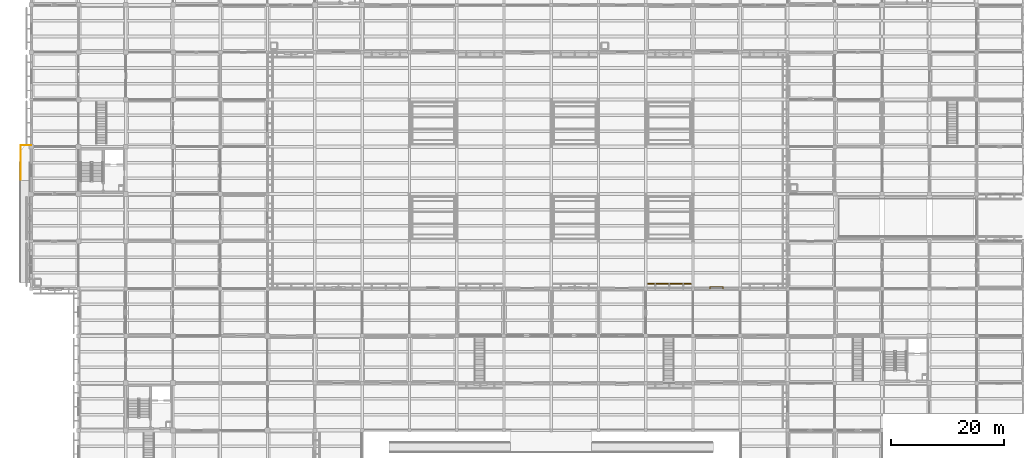
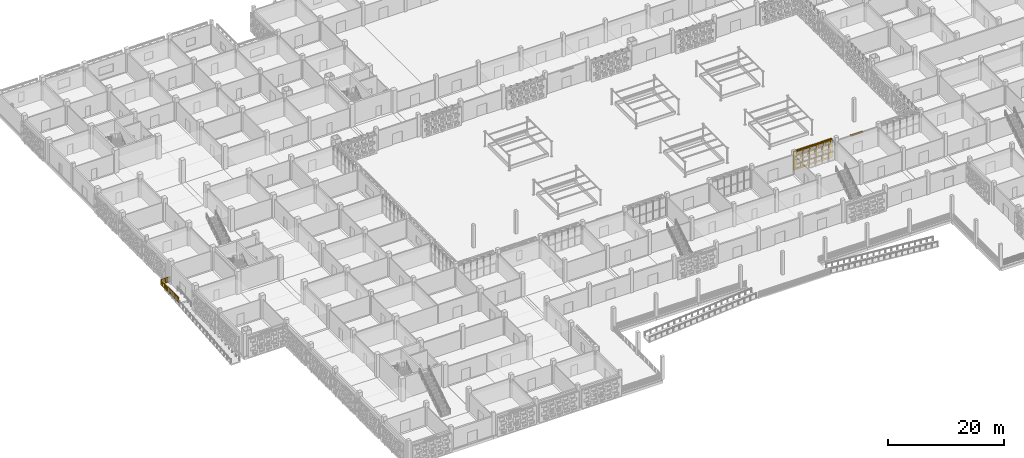
# One storey, part 95 of 129: 2 railings, 2 shading devices, 1 covering, 20 openings.
"""IFC4 building model written with IfcOpenShell, lengths in metres."""

from ifc_helpers import new_model, si_unit, direction, frame, frame_2d, origin, origin_2d, place, context, subcontext, project, spatial, rectangle, circle, extrude, material, layer, layer_set, type_object, element, save


model = new_model("IFC4")

# Units and contexts
model_context = context("Model", 3, precision=1e-05, world=origin(), true_north=direction((0.0, 1.0)))
body_context = subcontext(model_context, "Body", "Model", "MODEL_VIEW")
ifc_project = project(units=[si_unit("LENGTHUNIT", "METRE"), si_unit("AREAUNIT", "SQUARE_METRE"), si_unit("VOLUMEUNIT", "CUBIC_METRE"), si_unit("PLANEANGLEUNIT", "RADIAN"), si_unit("MASSUNIT", "GRAM", prefix="KILO")], contexts=[model_context])

# Site, building, storey
site_placement = place(None, origin())
site = spatial("IfcSite", under=ifc_project, at=site_placement, CompositionType="ELEMENT")
building_placement = place(site_placement, origin())
building = spatial("IfcBuilding", under=site, at=building_placement, Name="Varnapada Polytechnic", CompositionType="ELEMENT")
storey_placement = place(building_placement, origin())
storey = spatial("IfcBuildingStorey", under=building, at=storey_placement, Name="L00", CompositionType="ELEMENT", Elevation=0.0)

# Shading device
ifc_material_1 = material(Name="Anodised aluminium", Category="aluminium")
ifc_layer_1 = layer(ifc_material_1, 0.35009765625)
ifc_layer_set_1 = layer_set([ifc_layer_1], Name="Anodised aluminium")
shading_device_type_1 = type_object("IfcShadingDeviceType", Name="Solar Louvre LVR-01", PredefinedType="JALOUSIE", material=ifc_layer_set_1)
shading_device_1_placement = place(storey_placement, frame((121.800048828125, 42.179931640625, 3.760009765625), z_axis=(0.0, 0.0, 1.0), x_axis=(1.0, 0.0, 0.0)))
element("IfcShadingDevice", 1, at=shading_device_1_placement, inside=storey, type_object=shading_device_type_1, Name="L00 aluminium sun louvre 73", PredefinedType="JALOUSIE", context=body_context, shape_type="SweptSolid", body=[
    extrude(rectangle(XDim=2.39990234375, YDim=0.340087890625, at=origin_2d()), origin(), (0.0, 0.0, 1.0), 0.1201171875),
])

# Railings
ifc_material_2 = material(Name="Painted galvanized steel", Category="steel")
railing_type = type_object("IfcRailingType", Name="Terrace Guard Rail GRD-01", PredefinedType="BALUSTRADE", material=ifc_material_2)
railing_1_placement = place(storey_placement, frame((-1.8798828125, 61.320068359375, 0.0)))
element("IfcRailing", 2, at=railing_1_placement, inside=storey, type_object=railing_type, Name="L00 civic square colonnade edge guard GRD-LW1-W", PredefinedType="BALUSTRADE", context=body_context, shape_type="SweptSolid", body=[
    extrude(circle(Radius=0.02392578125, at=origin_2d()), frame((0.0, 0.0, 1.09619140625), z_axis=(0.0, 1.0, 0.0), x_axis=(-1.0, 0.0, 0.0)), (0.0, 0.0, 1.0), 6.159912109375),
    extrude(circle(Radius=0.02392578125, at=origin_2d()), frame((0.0, 0.0, 0.10009765625), z_axis=(0.0, 1.0, 0.0), x_axis=(-1.0, 0.0, 0.0)), (0.0, 0.0, 1.0), 6.159912109375),
    extrude(circle(Radius=0.02099609375, at=origin_2d()), origin(), (0.0, 0.0, 1.0), 1.072021484375),
    extrude(circle(Radius=0.02099609375, at=origin_2d()), frame((0.0, 1.026611328125, 0.0)), (0.0, 0.0, 1.0), 1.072021484375),
    extrude(circle(Radius=0.02099609375, at=origin_2d()), frame((0.0, 2.05322265625, 0.0)), (0.0, 0.0, 1.0), 1.072021484375),
    extrude(circle(Radius=0.02099609375, at=origin_2d()), frame((0.0, 3.080078125, 0.0)), (0.0, 0.0, 1.0), 1.072021484375),
    extrude(circle(Radius=0.02099609375, at=origin_2d()), frame((0.0, 4.106689453125, 0.0)), (0.0, 0.0, 1.0), 1.072021484375),
    extrude(circle(Radius=0.02099609375, at=origin_2d()), frame((0.0, 5.13330078125, 0.0)), (0.0, 0.0, 1.0), 1.072021484375),
    extrude(circle(Radius=0.02099609375, at=origin_2d()), frame((0.0, 6.159912109375, 0.0)), (0.0, 0.0, 1.0), 1.072021484375),
    extrude(circle(Radius=0.010009765625, at=origin_2d()), frame((0.0, 0.246337890625, 0.10009765625)), (0.0, 0.0, 1.0), 0.971923828125),
    extrude(circle(Radius=0.010009765625, at=origin_2d()), frame((0.0, 0.49267578125, 0.10009765625)), (0.0, 0.0, 1.0), 0.971923828125),
    extrude(circle(Radius=0.010009765625, at=origin_2d()), frame((0.0, 0.7392578125, 0.10009765625)), (0.0, 0.0, 1.0), 0.971923828125),
    extrude(circle(Radius=0.010009765625, at=origin_2d()), frame((0.0, 0.985595703125, 0.10009765625)), (0.0, 0.0, 1.0), 0.971923828125),
    extrude(circle(Radius=0.010009765625, at=origin_2d()), frame((0.0, 1.23193359375, 0.10009765625)), (0.0, 0.0, 1.0), 0.971923828125),
    extrude(circle(Radius=0.010009765625, at=origin_2d()), frame((0.0, 1.478271484375, 0.10009765625)), (0.0, 0.0, 1.0), 0.971923828125),
    extrude(circle(Radius=0.010009765625, at=origin_2d()), frame((0.0, 1.724853515625, 0.10009765625)), (0.0, 0.0, 1.0), 0.971923828125),
    extrude(circle(Radius=0.010009765625, at=origin_2d()), frame((0.0, 1.97119140625, 0.10009765625)), (0.0, 0.0, 1.0), 0.971923828125),
    extrude(circle(Radius=0.010009765625, at=origin_2d()), frame((0.0, 2.217529296875, 0.10009765625)), (0.0, 0.0, 1.0), 0.971923828125),
    extrude(circle(Radius=0.010009765625, at=origin_2d()), frame((0.0, 2.4638671875, 0.10009765625)), (0.0, 0.0, 1.0), 0.971923828125),
    extrude(circle(Radius=0.010009765625, at=origin_2d()), frame((0.0, 2.71044921875, 0.10009765625)), (0.0, 0.0, 1.0), 0.971923828125),
    extrude(circle(Radius=0.010009765625, at=origin_2d()), frame((0.0, 2.956787109375, 0.10009765625)), (0.0, 0.0, 1.0), 0.971923828125),
    extrude(circle(Radius=0.010009765625, at=origin_2d()), frame((0.0, 3.203125, 0.10009765625)), (0.0, 0.0, 1.0), 0.971923828125),
    extrude(circle(Radius=0.010009765625, at=origin_2d()), frame((0.0, 3.449462890625, 0.10009765625)), (0.0, 0.0, 1.0), 0.971923828125),
    extrude(circle(Radius=0.010009765625, at=origin_2d()), frame((0.0, 3.696044921875, 0.10009765625)), (0.0, 0.0, 1.0), 0.971923828125),
    extrude(circle(Radius=0.010009765625, at=origin_2d()), frame((0.0, 3.9423828125, 0.10009765625)), (0.0, 0.0, 1.0), 0.971923828125),
    extrude(circle(Radius=0.010009765625, at=origin_2d()), frame((0.0, 4.188720703125, 0.10009765625)), (0.0, 0.0, 1.0), 0.971923828125),
    extrude(circle(Radius=0.010009765625, at=origin_2d()), frame((0.0, 4.43505859375, 0.10009765625)), (0.0, 0.0, 1.0), 0.971923828125),
    extrude(circle(Radius=0.010009765625, at=origin_2d()), frame((0.0, 4.681640625, 0.10009765625)), (0.0, 0.0, 1.0), 0.971923828125),
    extrude(circle(Radius=0.010009765625, at=origin_2d()), frame((0.0, 4.927978515625, 0.10009765625)), (0.0, 0.0, 1.0), 0.971923828125),
    extrude(circle(Radius=0.010009765625, at=origin_2d()), frame((0.0, 5.17431640625, 0.10009765625)), (0.0, 0.0, 1.0), 0.971923828125),
    extrude(circle(Radius=0.010009765625, at=origin_2d()), frame((0.0, 5.420654296875, 0.10009765625)), (0.0, 0.0, 1.0), 0.971923828125),
    extrude(circle(Radius=0.010009765625, at=origin_2d()), frame((0.0, 5.667236328125, 0.10009765625)), (0.0, 0.0, 1.0), 0.971923828125),
    extrude(circle(Radius=0.010009765625, at=origin_2d()), frame((0.0, 5.91357421875, 0.10009765625)), (0.0, 0.0, 1.0), 0.971923828125),
])
railing_2_placement = place(storey_placement, frame((-1.8798828125, 67.47998046875, 0.0)))
element("IfcRailing", 3, at=railing_2_placement, inside=storey, type_object=railing_type, Name="L00 civic square colonnade edge guard GRD-LW1-N", PredefinedType="BALUSTRADE", context=body_context, shape_type="SweptSolid", body=[
    extrude(circle(Radius=0.02392578125, at=origin_2d()), frame((0.0, 0.0, 1.09619140625), z_axis=(1.0, 0.0, 0.0), x_axis=(0.0, 1.0, 0.0)), (0.0, 0.0, 1.0), 1.829833984375),
    extrude(circle(Radius=0.02392578125, at=origin_2d()), frame((0.0, 0.0, 0.10009765625), z_axis=(1.0, 0.0, 0.0), x_axis=(0.0, 1.0, 0.0)), (0.0, 0.0, 1.0), 1.829833984375),
    extrude(circle(Radius=0.02099609375, at=origin_2d()), origin(), (0.0, 0.0, 1.0), 1.072021484375),
    extrude(circle(Radius=0.02099609375, at=origin_2d()), frame((0.9150390625, 0.0, 0.0)), (0.0, 0.0, 1.0), 1.072021484375),
    extrude(circle(Radius=0.02099609375, at=origin_2d()), frame((1.829833984375, 0.0, 0.0)), (0.0, 0.0, 1.0), 1.072021484375),
    extrude(circle(Radius=0.010009765625, at=origin_2d()), frame((0.261474609375, 0.0, 0.10009765625)), (0.0, 0.0, 1.0), 0.971923828125),
    extrude(circle(Radius=0.010009765625, at=origin_2d()), frame((0.522705078125, 0.0, 0.10009765625)), (0.0, 0.0, 1.0), 0.971923828125),
    extrude(circle(Radius=0.010009765625, at=origin_2d()), frame((0.7841796875, 0.0, 0.10009765625)), (0.0, 0.0, 1.0), 0.971923828125),
    extrude(circle(Radius=0.010009765625, at=origin_2d()), frame((1.045654296875, 0.0, 0.10009765625)), (0.0, 0.0, 1.0), 0.971923828125),
    extrude(circle(Radius=0.010009765625, at=origin_2d()), frame((1.30712890625, 0.0, 0.10009765625)), (0.0, 0.0, 1.0), 0.971923828125),
    extrude(circle(Radius=0.010009765625, at=origin_2d()), frame((1.568359375, 0.0, 0.10009765625)), (0.0, 0.0, 1.0), 0.971923828125),
])

# Covering, openings
ifc_material_3 = material(Name="Earth-toned architectural terracotta screen block", Category="masonry")
ifc_layer_2 = layer(ifc_material_3, 0.1201171875)
ifc_layer_set_2 = layer_set([ifc_layer_2], Name="Earth-toned architectural terracotta screen block")
covering_type = type_object("IfcCoveringType", Name="Terracotta Screen Cladding CLD-01", PredefinedType="CLADDING", material=ifc_layer_set_2)
covering_placement = place(storey_placement, frame((109.5, 42.85009765625, 0.0), z_axis=(0.0, 0.0, 1.0), x_axis=(1.0, 0.0, 0.0)))
covering = element("IfcCovering", 4, at=covering_placement, inside=storey, type_object=covering_type, Name="L00 perforated terracotta block screen (69)", PredefinedType="CLADDING", context=body_context, shape_type="SweptSolid", body=[
    extrude(rectangle(XDim=7.800048828125, YDim=0.179931640625, at=frame_2d((3.89990234375, 0.0))), origin(), (0.0, 0.0, 1.0), 3.919921875),
])
opening_1_placement = place(covering_placement, frame((0.39990234375, 0.0, 0.313720703125)))
element("IfcOpeningElement", 5, at=opening_1_placement, cuts=covering, Name="Screen perforation TBS-L00-068.1", PredefinedType="OPENING", context=body_context, shape_type="SweptSolid", body=[
    extrude(rectangle(XDim=1.0400390625, YDim=0.679931640625, at=frame_2d((0.52001953125, 0.33984375))), frame((0.0, 0.099853515625, 0.0), z_axis=(0.0, -1.0, 0.0), x_axis=(1.0, 0.0, 0.0)), (0.0, 0.0, 1.0), 0.199951171875),
])
opening_2_placement = place(covering_placement, frame((1.800048828125, 0.0, 0.313720703125)))
element("IfcOpeningElement", 6, at=opening_2_placement, cuts=covering, Name="Screen perforation TBS-L00-068.2", PredefinedType="OPENING", context=body_context, shape_type="SweptSolid", body=[
    extrude(rectangle(XDim=1.0400390625, YDim=0.679931640625, at=frame_2d((0.52001953125, 0.33984375))), frame((0.0, 0.099853515625, 0.0), z_axis=(0.0, -1.0, 0.0), x_axis=(1.0, 0.0, 0.0)), (0.0, 0.0, 1.0), 0.199951171875),
])
opening_3_placement = place(covering_placement, frame((3.199951171875, 0.0, 0.313720703125)))
element("IfcOpeningElement", 7, at=opening_3_placement, cuts=covering, Name="Screen perforation TBS-L00-068.3", PredefinedType="OPENING", context=body_context, shape_type="SweptSolid", body=[
    extrude(rectangle(XDim=1.0400390625, YDim=0.679931640625, at=frame_2d((0.52001953125, 0.33984375))), frame((0.0, 0.099853515625, 0.0), z_axis=(0.0, -1.0, 0.0), x_axis=(1.0, 0.0, 0.0)), (0.0, 0.0, 1.0), 0.199951171875),
])
opening_4_placement = place(covering_placement, frame((4.60009765625, 0.0, 0.313720703125)))
element("IfcOpeningElement", 8, at=opening_4_placement, cuts=covering, Name="Screen perforation TBS-L00-068.4", PredefinedType="OPENING", context=body_context, shape_type="SweptSolid", body=[
    extrude(rectangle(XDim=1.0400390625, YDim=0.679931640625, at=frame_2d((0.52001953125, 0.33984375))), frame((0.0, 0.099853515625, 0.0), z_axis=(0.0, -1.0, 0.0), x_axis=(1.0, 0.0, 0.0)), (0.0, 0.0, 1.0), 0.199951171875),
])
opening_5_placement = place(covering_placement, frame((6.0, 0.0, 0.313720703125)))
element("IfcOpeningElement", 9, at=opening_5_placement, cuts=covering, Name="Screen perforation TBS-L00-068.5", PredefinedType="OPENING", context=body_context, shape_type="SweptSolid", body=[
    extrude(rectangle(XDim=1.0400390625, YDim=0.679931640625, at=frame_2d((0.52001953125, 0.33984375))), frame((0.0, 0.099853515625, 0.0), z_axis=(0.0, -1.0, 0.0), x_axis=(1.0, 0.0, 0.0)), (0.0, 0.0, 1.0), 0.199951171875),
])
opening_6_placement = place(covering_placement, frame((0.760009765625, 0.0, 1.195556640625)))
element("IfcOpeningElement", 10, at=opening_6_placement, cuts=covering, Name="Screen perforation TBS-L00-068.6", PredefinedType="OPENING", context=body_context, shape_type="SweptSolid", body=[
    extrude(rectangle(XDim=1.0400390625, YDim=0.679931640625, at=frame_2d((0.52001953125, 0.33984375))), frame((0.0, 0.099853515625, 0.0), z_axis=(0.0, -1.0, 0.0), x_axis=(1.0, 0.0, 0.0)), (0.0, 0.0, 1.0), 0.199951171875),
])
opening_7_placement = place(covering_placement, frame((2.159912109375, 0.0, 1.195556640625)))
element("IfcOpeningElement", 11, at=opening_7_placement, cuts=covering, Name="Screen perforation TBS-L00-068.7", PredefinedType="OPENING", context=body_context, shape_type="SweptSolid", body=[
    extrude(rectangle(XDim=1.0400390625, YDim=0.679931640625, at=frame_2d((0.52001953125, 0.33984375))), frame((0.0, 0.099853515625, 0.0), z_axis=(0.0, -1.0, 0.0), x_axis=(1.0, 0.0, 0.0)), (0.0, 0.0, 1.0), 0.199951171875),
])
opening_8_placement = place(covering_placement, frame((3.56005859375, 0.0, 1.195556640625)))
element("IfcOpeningElement", 12, at=opening_8_placement, cuts=covering, Name="Screen perforation TBS-L00-068.8", PredefinedType="OPENING", context=body_context, shape_type="SweptSolid", body=[
    extrude(rectangle(XDim=1.0400390625, YDim=0.679931640625, at=frame_2d((0.52001953125, 0.33984375))), frame((0.0, 0.099853515625, 0.0), z_axis=(0.0, -1.0, 0.0), x_axis=(1.0, 0.0, 0.0)), (0.0, 0.0, 1.0), 0.199951171875),
])
opening_9_placement = place(covering_placement, frame((4.9599609375, 0.0, 1.195556640625)))
element("IfcOpeningElement", 13, at=opening_9_placement, cuts=covering, Name="Screen perforation TBS-L00-068.9", PredefinedType="OPENING", context=body_context, shape_type="SweptSolid", body=[
    extrude(rectangle(XDim=1.0400390625, YDim=0.679931640625, at=frame_2d((0.52001953125, 0.33984375))), frame((0.0, 0.099853515625, 0.0), z_axis=(0.0, -1.0, 0.0), x_axis=(1.0, 0.0, 0.0)), (0.0, 0.0, 1.0), 0.199951171875),
])
opening_10_placement = place(covering_placement, frame((6.360107421875, 0.0, 1.195556640625)))
element("IfcOpeningElement", 14, at=opening_10_placement, cuts=covering, Name="Screen perforation TBS-L00-068.10", PredefinedType="OPENING", context=body_context, shape_type="SweptSolid", body=[
    extrude(rectangle(XDim=1.0400390625, YDim=0.679931640625, at=frame_2d((0.52001953125, 0.33984375))), frame((0.0, 0.099853515625, 0.0), z_axis=(0.0, -1.0, 0.0), x_axis=(1.0, 0.0, 0.0)), (0.0, 0.0, 1.0), 0.199951171875),
])
opening_11_placement = place(covering_placement, frame((0.39990234375, 0.0, 2.07763671875)))
element("IfcOpeningElement", 15, at=opening_11_placement, cuts=covering, Name="Screen perforation TBS-L00-068.11", PredefinedType="OPENING", context=body_context, shape_type="SweptSolid", body=[
    extrude(rectangle(XDim=1.0400390625, YDim=0.679931640625, at=frame_2d((0.52001953125, 0.33984375))), frame((0.0, 0.099853515625, 0.0), z_axis=(0.0, -1.0, 0.0), x_axis=(1.0, 0.0, 0.0)), (0.0, 0.0, 1.0), 0.199951171875),
])
opening_12_placement = place(covering_placement, frame((1.800048828125, 0.0, 2.07763671875)))
element("IfcOpeningElement", 16, at=opening_12_placement, cuts=covering, Name="Screen perforation TBS-L00-068.12", PredefinedType="OPENING", context=body_context, shape_type="SweptSolid", body=[
    extrude(rectangle(XDim=1.0400390625, YDim=0.679931640625, at=frame_2d((0.52001953125, 0.33984375))), frame((0.0, 0.099853515625, 0.0), z_axis=(0.0, -1.0, 0.0), x_axis=(1.0, 0.0, 0.0)), (0.0, 0.0, 1.0), 0.199951171875),
])
opening_13_placement = place(covering_placement, frame((3.199951171875, 0.0, 2.07763671875)))
element("IfcOpeningElement", 17, at=opening_13_placement, cuts=covering, Name="Screen perforation TBS-L00-068.13", PredefinedType="OPENING", context=body_context, shape_type="SweptSolid", body=[
    extrude(rectangle(XDim=1.0400390625, YDim=0.679931640625, at=frame_2d((0.52001953125, 0.33984375))), frame((0.0, 0.099853515625, 0.0), z_axis=(0.0, -1.0, 0.0), x_axis=(1.0, 0.0, 0.0)), (0.0, 0.0, 1.0), 0.199951171875),
])
opening_14_placement = place(covering_placement, frame((4.60009765625, 0.0, 2.07763671875)))
element("IfcOpeningElement", 18, at=opening_14_placement, cuts=covering, Name="Screen perforation TBS-L00-068.14", PredefinedType="OPENING", context=body_context, shape_type="SweptSolid", body=[
    extrude(rectangle(XDim=1.0400390625, YDim=0.679931640625, at=frame_2d((0.52001953125, 0.33984375))), frame((0.0, 0.099853515625, 0.0), z_axis=(0.0, -1.0, 0.0), x_axis=(1.0, 0.0, 0.0)), (0.0, 0.0, 1.0), 0.199951171875),
])
opening_15_placement = place(covering_placement, frame((6.0, 0.0, 2.07763671875)))
element("IfcOpeningElement", 19, at=opening_15_placement, cuts=covering, Name="Screen perforation TBS-L00-068.15", PredefinedType="OPENING", context=body_context, shape_type="SweptSolid", body=[
    extrude(rectangle(XDim=1.0400390625, YDim=0.679931640625, at=frame_2d((0.52001953125, 0.33984375))), frame((0.0, 0.099853515625, 0.0), z_axis=(0.0, -1.0, 0.0), x_axis=(1.0, 0.0, 0.0)), (0.0, 0.0, 1.0), 0.199951171875),
])
opening_16_placement = place(covering_placement, frame((0.760009765625, 0.0, 2.959716796875)))
element("IfcOpeningElement", 20, at=opening_16_placement, cuts=covering, Name="Screen perforation TBS-L00-068.16", PredefinedType="OPENING", context=body_context, shape_type="SweptSolid", body=[
    extrude(rectangle(XDim=1.0400390625, YDim=0.679931640625, at=frame_2d((0.52001953125, 0.33984375))), frame((0.0, 0.099853515625, 0.0), z_axis=(0.0, -1.0, 0.0), x_axis=(1.0, 0.0, 0.0)), (0.0, 0.0, 1.0), 0.199951171875),
])
opening_17_placement = place(covering_placement, frame((2.159912109375, 0.0, 2.959716796875)))
element("IfcOpeningElement", 21, at=opening_17_placement, cuts=covering, Name="Screen perforation TBS-L00-068.17", PredefinedType="OPENING", context=body_context, shape_type="SweptSolid", body=[
    extrude(rectangle(XDim=1.0400390625, YDim=0.679931640625, at=frame_2d((0.52001953125, 0.33984375))), frame((0.0, 0.099853515625, 0.0), z_axis=(0.0, -1.0, 0.0), x_axis=(1.0, 0.0, 0.0)), (0.0, 0.0, 1.0), 0.199951171875),
])
opening_18_placement = place(covering_placement, frame((3.56005859375, 0.0, 2.959716796875)))
element("IfcOpeningElement", 22, at=opening_18_placement, cuts=covering, Name="Screen perforation TBS-L00-068.18", PredefinedType="OPENING", context=body_context, shape_type="SweptSolid", body=[
    extrude(rectangle(XDim=1.0400390625, YDim=0.679931640625, at=frame_2d((0.52001953125, 0.33984375))), frame((0.0, 0.099853515625, 0.0), z_axis=(0.0, -1.0, 0.0), x_axis=(1.0, 0.0, 0.0)), (0.0, 0.0, 1.0), 0.199951171875),
])
opening_19_placement = place(covering_placement, frame((4.9599609375, 0.0, 2.959716796875)))
element("IfcOpeningElement", 23, at=opening_19_placement, cuts=covering, Name="Screen perforation TBS-L00-068.19", PredefinedType="OPENING", context=body_context, shape_type="SweptSolid", body=[
    extrude(rectangle(XDim=1.0400390625, YDim=0.679931640625, at=frame_2d((0.52001953125, 0.33984375))), frame((0.0, 0.099853515625, 0.0), z_axis=(0.0, -1.0, 0.0), x_axis=(1.0, 0.0, 0.0)), (0.0, 0.0, 1.0), 0.199951171875),
])
opening_20_placement = place(covering_placement, frame((6.360107421875, 0.0, 2.959716796875)))
element("IfcOpeningElement", 24, at=opening_20_placement, cuts=covering, Name="Screen perforation TBS-L00-068.20", PredefinedType="OPENING", context=body_context, shape_type="SweptSolid", body=[
    extrude(rectangle(XDim=1.0400390625, YDim=0.679931640625, at=frame_2d((0.52001953125, 0.33984375))), frame((0.0, 0.099853515625, 0.0), z_axis=(0.0, -1.0, 0.0), x_axis=(1.0, 0.0, 0.0)), (0.0, 0.0, 1.0), 0.199951171875),
])

# Shading device
ifc_layer_3 = layer(ifc_material_3, 0.179931640625)
ifc_layer_set_3 = layer_set([ifc_layer_3], Name="Earth-toned architectural terracotta screen block")
shading_device_type_2 = type_object("IfcShadingDeviceType", Name="Terracotta Screen SCR-02", PredefinedType="USERDEFINED", material=ifc_layer_set_3)
shading_device_2_placement = place(storey_placement, frame((113.39990234375, 42.85009765625, 3.909912109375), z_axis=(0.0, 0.0, 1.0), x_axis=(1.0, 0.0, 0.0)))
element("IfcShadingDevice", 25, at=shading_device_2_placement, inside=storey, type_object=shading_device_type_2, Name="L00 perforated terracotta screen hood 48", ObjectType="SCREEN", PredefinedType="USERDEFINED", context=body_context, shape_type="SweptSolid", body=[
    extrude(rectangle(XDim=7.60009765625, YDim=0.239990234375, at=origin_2d()), origin(), (0.0, 0.0, 1.0), 0.10009765625),
])

save(model, "model.ifc")
